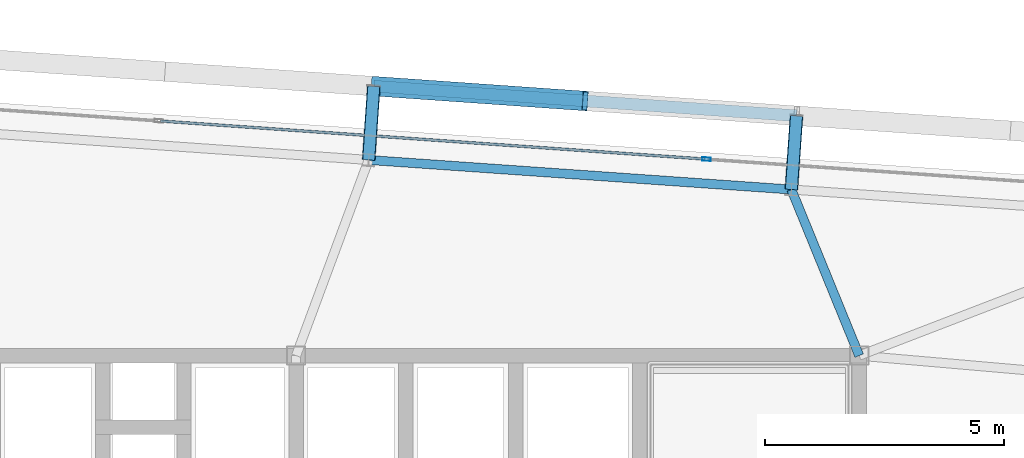
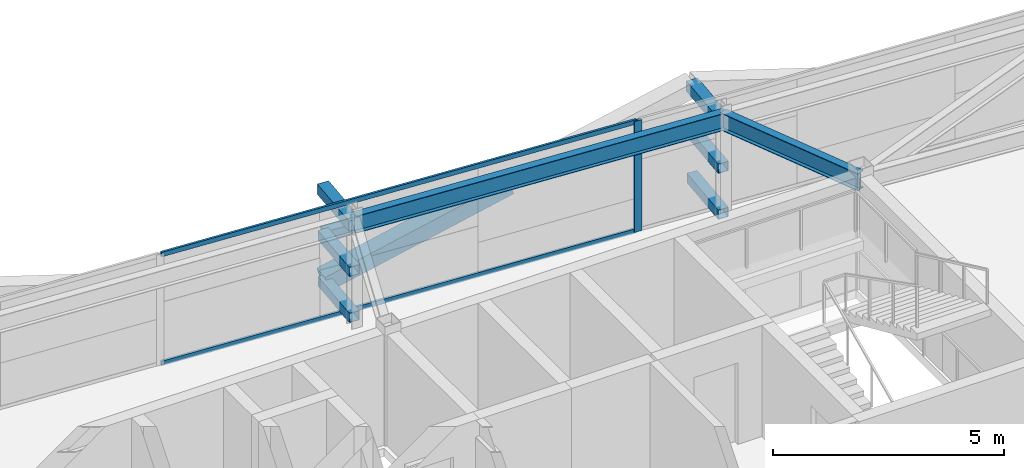
# One storey, part 23 of 39: 11 members, 2 beams, 1 element without a shape of its own.
"""IFC4 building model written with IfcOpenShell, lengths in metres."""

from ifc_helpers import new_model, si_unit, direction, frame, origin, origin_2d, place, context, subcontext, project, spatial, hollow_rectangle, i_section, extrude, source, transform, mapped, material, layer, layer_set, material_profile, profile_set, type_object, element, aggregate, save


model = new_model("IFC4")

# Units and contexts
model_context = context("Model", 3, precision=1e-05, world=origin(), true_north=direction((0.0, 1.0)))
body_context = subcontext(model_context, "Body", "Model", "MODEL_VIEW")
ifc_project = project(units=[si_unit("LENGTHUNIT", "METRE"), si_unit("AREAUNIT", "SQUARE_METRE"), si_unit("VOLUMEUNIT", "CUBIC_METRE"), si_unit("PLANEANGLEUNIT", "RADIAN"), si_unit("MASSUNIT", "GRAM", prefix="KILO")], contexts=[model_context])

# Site, building, storey
site_placement = place(None, origin())
site = spatial("IfcSite", under=ifc_project, at=site_placement, CompositionType="ELEMENT")
building_placement = place(site_placement, origin())
building = spatial("IfcBuilding", under=site, at=building_placement, Name="Taldren Reach Tower", CompositionType="ELEMENT")
storey_placement = place(building_placement, frame((0.0, 0.0, 136.14990234375)))
storey = spatial("IfcBuildingStorey", under=building, at=storey_placement, Name="L41", CompositionType="ELEMENT", Elevation=136.14990234375)

# Members
ifc_material_1 = material(Name="Steel Gr 450 (C450L0)", Category="steel")
ifc_material_profile_1 = material_profile(ifc_material_1, hollow_rectangle(XDim=0.27490234375, YDim=0.27490234375, WallThickness=0.00927734375, at=origin_2d()), Name="275x275x9.3SHS")
ifc_profile_set_1 = profile_set([ifc_material_profile_1], Name="Steel Gr 450 (C450L0)")
member_type_1 = type_object("IfcMemberType", Name="MB-TIE273", PredefinedType="STRUT", material=ifc_profile_set_1)
shared_shape_1 = source(origin(), body_context, "Body", "SweptSolid", [
    extrude(hollow_rectangle(XDim=0.27490234375, YDim=0.27490234375, WallThickness=0.00927734375, at=origin_2d()), origin(), (0.0, 0.0, 1.0), 1.550048828125),
])
for number, where, z_axis, x_axis, name in (
    (1, (40.7197265625, 36.100341796875, 2.650146484375), (0.06976957191, 0.99756313426, 0.0), (-0.99756313426, 0.06976957191, 0.0), "Exoskeleton diaphragm tie strut B3-N4 L41"),
    (2, (49.578125, 35.48095703125, 2.650146484375), (0.06976957191, 0.99756313426, 0.0), (-0.99756313426, 0.06976957191, 0.0), "Exoskeleton diaphragm tie strut B3-N5 L41"),
):
    element("IfcMember", number, at=place(storey_placement, frame(where, z_axis=z_axis, x_axis=x_axis)), inside=storey, type_object=member_type_1, Name=name, PredefinedType="STRUT", context=body_context, shape_type="MappedRepresentation", body=[
        mapped(shared_shape_1, transform((0.0, 0.0, 0.0), scale=1.0)),
    ])
ifc_material_2 = material(Name="Steel Gr 350 (C350L0)", Category="steel")
ifc_material_profile_2 = material_profile(ifc_material_2, hollow_rectangle(XDim=0.25, YDim=0.25, WallThickness=0.010009765625, at=origin_2d()), Name="250x250x10.0SHS")
ifc_profile_set_2 = profile_set([ifc_material_profile_2], Name="Steel Gr 350 (C350L0)")
member_type_2 = type_object("IfcMemberType", Name="MB-POST250", PredefinedType="POST", material=ifc_profile_set_2)
shared_shape_2 = source(origin(), body_context, "Body", "SweptSolid", [
    extrude(hollow_rectangle(XDim=0.25, YDim=0.25, WallThickness=0.010009765625, at=origin_2d()), origin(), (0.0, 0.0, 1.0), 1.550048828125),
])
for number, where, z_axis, x_axis, name in (
    (3, (40.7197265625, 36.100341796875, 0.22021484375), (0.06976957191, 0.99756313426, 0.0), (-0.99756313426, 0.06976957191, 0.0), "Exoskeleton base diaphragm tie strut B3-N4 L41"),
    (4, (49.578125, 35.48095703125, 0.22021484375), (0.06976957191, 0.99756313426, 0.0), (-0.99756313426, 0.06976957191, 0.0), "Exoskeleton base diaphragm tie strut B3-N5 L41"),
    (5, (40.7197265625, 36.100341796875, 1.43505859375), (0.06976957191, 0.99756313426, 0.0), (-0.99756313426, 0.06976957191, 0.0), "Exoskeleton mid-tier diaphragm tie B3-N4 L41"),
    (6, (49.578125, 35.48095703125, 1.43505859375), (0.06976957191, 0.99756313426, 0.0), (-0.99756313426, 0.06976957191, 0.0), "Exoskeleton mid-tier diaphragm tie B3-N5 L41"),
):
    element("IfcMember", number, at=place(storey_placement, frame(where, z_axis=z_axis, x_axis=x_axis)), inside=storey, type_object=member_type_2, Name=name, PredefinedType="POST", context=body_context, shape_type="MappedRepresentation", body=[
        mapped(shared_shape_2, transform((0.0, 0.0, 0.0), scale=1.0)),
    ])

# Beams
ifc_material_3 = material(Name="Steel Gr 350 (350PLUS)", Category="steel")
ifc_material_profile_3 = material_profile(ifc_material_3, i_section(OverallWidth=0.18994140625, OverallDepth=0.4541015625, WebThickness=0.008544921875, FlangeThickness=0.0126953125, at=origin_2d()), Name="460UB67.1")
ifc_profile_set_3 = profile_set([ifc_material_profile_3], Name="Steel Gr 350 (350PLUS)")
beam_type_1 = type_object("IfcBeamType", Name="SP-UB460B", PredefinedType="SPANDREL", material=ifc_profile_set_3)
shared_shape_3 = source(origin(), body_context, "Body", "SweptSolid", [
    extrude(i_section(OverallWidth=0.18994140625, OverallDepth=0.4541015625, WebThickness=0.008544921875, FlangeThickness=0.0126953125, at=origin_2d()), origin(), (0.0, 0.0, 1.0), 8.880126953125),
])
beam_1_placement = place(storey_placement, frame((49.578125, 35.48095703125, 2.703125), z_axis=(-0.997564479639, 0.069750333063, 0.0), x_axis=(-0.069750333063, -0.997564479639, 0.0)))
element("IfcBeam", 7, at=beam_1_placement, inside=storey, type_object=beam_type_1, Name="Perimeter spandrel B3 N5-N4 L41", PredefinedType="SPANDREL", context=body_context, shape_type="MappedRepresentation", body=[
    mapped(shared_shape_3, transform((0.0, 0.0, 0.0), scale=1.0)),
])
ifc_material_profile_4 = material_profile(ifc_material_3, i_section(OverallWidth=0.19091796875, OverallDepth=0.4599609375, WebThickness=0.010009765625, FlangeThickness=0.01611328125, at=origin_2d()), Name="460UB82.1")
ifc_profile_set_4 = profile_set([ifc_material_profile_4], Name="Steel Gr 350 (350PLUS)")
beam_type_2 = type_object("IfcBeamType", Name="BM-UB460A", PredefinedType="BEAM", material=ifc_profile_set_4)
shared_shape_4 = source(origin(), body_context, "Body", "SweptSolid", [
    extrude(i_section(OverallWidth=0.19091796875, OverallDepth=0.4599609375, WebThickness=0.010009765625, FlangeThickness=0.01611328125, at=origin_2d()), origin(), (0.0, 0.0, 1.0), 3.76025390625),
])
beam_2_placement = place(storey_placement, frame((51.0, 32.0, 2.7001953125), z_axis=(-0.37814232545, 0.925747471886, 0.0), x_axis=(-0.925747471886, -0.37814232545, 0.0)))
element("IfcBeam", 8, at=beam_2_placement, inside=storey, type_object=beam_type_2, Name="Primary floor girder B3-N5 L41", PredefinedType="BEAM", context=body_context, shape_type="MappedRepresentation", body=[
    mapped(shared_shape_4, transform((0.0, 0.0, 0.0), scale=1.0)),
])

# Members
shared_shape_5 = source(origin(), body_context, "Body", "SweptSolid", [
    extrude(hollow_rectangle(XDim=0.25, YDim=0.25, WallThickness=0.010009765625, at=origin_2d()), origin(), (0.0, 0.0, 1.0), 8.880126953125),
])
member_1_placement = place(storey_placement, frame((40.827880859375, 37.646728515625, 1.43505859375), z_axis=(0.997564479639, -0.069750333063, 0.0), x_axis=(0.069750333063, 0.997564479639, 0.0)))
element("IfcMember", 9, at=member_1_placement, inside=storey, type_object=member_type_2, Name="Exoskeleton mid-height ring chord B3-N4 L41", PredefinedType="POST", context=body_context, shape_type="MappedRepresentation", body=[
    mapped(shared_shape_5, transform((0.0, 0.0, 0.0), scale=1.0)),
])
ifc_material_profile_5 = material_profile(ifc_material_1, hollow_rectangle(XDim=0.409912109375, YDim=0.409912109375, WallThickness=0.01611328125, at=origin_2d()), Name="410x410x16.0SHS")
ifc_profile_set_5 = profile_set([ifc_material_profile_5], Name="Steel Gr 450 (C450L0)")
member_type_3 = type_object("IfcMemberType", Name="MB-EXO406", PredefinedType="BRACE", material=ifc_profile_set_5)
shared_shape_6 = source(origin(), body_context, "Body", "SweptSolid", [
    extrude(hollow_rectangle(XDim=0.409912109375, YDim=0.409912109375, WallThickness=0.01611328125, at=origin_2d()), origin(), (0.0, 0.0, 1.0), 4.603271484375),
])
member_2_placement = place(storey_placement, frame((40.827880859375, 37.646728515625, 0.22021484375), z_axis=(0.962195820062, -0.067303852699, 0.263911718699), x_axis=(0.06977769246, 0.997562566276, 0.0)))
element("IfcMember", 10, at=member_2_placement, inside=storey, type_object=member_type_3, Name="Exoskeleton Diagrid Brace B3-N4 L41", PredefinedType="BRACE", context=body_context, shape_type="MappedRepresentation", body=[
    mapped(shared_shape_6, transform((0.0, 0.0, 0.0), scale=1.0)),
])

# Curtain wall, members
ifc_material_4 = material(Name="Aluminium and Low-E Glass Unitised System", Category="aluminium")
ifc_layer = layer(ifc_material_4, 0.159912109375)
ifc_layer_set = layer_set([ifc_layer], Name="Aluminium and Low-E Glass Unitised System")
curtain_wall_type = type_object("IfcCurtainWallType", Name="CW-SYS-4", PredefinedType="NOTDEFINED", material=ifc_layer_set)
curtain_wall_placement = place(storey_placement, origin())
curtain_wall = element("IfcCurtainWall", 11, at=curtain_wall_placement, inside=storey, type_object=curtain_wall_type, Name="Unitised curtain wall CW-L41-N", PredefinedType="NOTDEFINED")
ifc_material_5 = material(Name="Anodised Aluminium 6063-T6", Category="aluminium")
ifc_material_profile_6 = material_profile(ifc_material_5, hollow_rectangle(XDim=0.070068359375, YDim=0.179931640625, WallThickness=0.00390625, at=origin_2d()), Name="ALU-180x70x4RHS")
ifc_profile_set_6 = profile_set([ifc_material_profile_6], Name="Anodised Aluminium 6063-T6")
member_type_4 = type_object("IfcMemberType", Name="CW-MUL-180", PredefinedType="MULLION", material=ifc_profile_set_6)
shared_shape_7 = source(origin(), body_context, "Body", "SweptSolid", [
    extrude(hollow_rectangle(XDim=0.070068359375, YDim=0.179931640625, WallThickness=0.00390625, at=origin_2d()), origin(), (0.0, 0.0, 1.0), 2.93017578125),
])
member_3_placement = place(storey_placement, frame((47.798095703125, 36.11669921875, 0.0), z_axis=(0.0, 0.0, 1.0), x_axis=(-0.06975651593, -0.99756404731, 0.0)))
member_3 = element("IfcMember", 12, at=member_3_placement, type_object=member_type_4, Name="CW-4 mullion 2", PredefinedType="MULLION", context=body_context, shape_type="MappedRepresentation", body=[
    mapped(shared_shape_7, transform((0.0, 0.0, 0.0), scale=1.0)),
])
ifc_material_profile_7 = material_profile(ifc_material_5, hollow_rectangle(XDim=0.054931640625, YDim=0.1201171875, WallThickness=0.0029296875, at=origin_2d()), Name="ALU-120x55x3RHS")
ifc_profile_set_7 = profile_set([ifc_material_profile_7], Name="Anodised Aluminium 6063-T6")
member_type_5 = type_object("IfcMemberType", Name="CW-TRN-135", PredefinedType="USERDEFINED", material=ifc_profile_set_7)
shared_shape_8 = source(origin(), body_context, "Body", "SweptSolid", [
    extrude(hollow_rectangle(XDim=0.054931640625, YDim=0.1201171875, WallThickness=0.0029296875, at=origin_2d()), origin(), (0.0, 0.0, 1.0), 11.429931640625),
])
member_4_placement = place(storey_placement, frame((47.76318359375, 36.119140625, 0.027587890625), z_axis=(-0.997563740938, 0.069760897114, 0.0), x_axis=(-0.069760897114, -0.997563740938, 0.0)))
member_4 = element("IfcMember", 13, at=member_4_placement, type_object=member_type_5, Name="CW-4 transom 2.1", ObjectType="TRANSOM", PredefinedType="USERDEFINED", context=body_context, shape_type="MappedRepresentation", body=[
    mapped(shared_shape_8, transform((0.0, 0.0, 0.0), scale=1.0)),
])
member_5_placement = place(storey_placement, frame((47.76318359375, 36.119140625, 2.902587890625), z_axis=(-0.997563740938, 0.069760897114, 0.0), x_axis=(-0.069760897114, -0.997563740938, 0.0)))
member_5 = element("IfcMember", 14, at=member_5_placement, type_object=member_type_5, Name="CW-4 transom 2.2", ObjectType="TRANSOM", PredefinedType="USERDEFINED", context=body_context, shape_type="MappedRepresentation", body=[
    mapped(shared_shape_8, transform((0.0, 0.0, 0.0), scale=1.0)),
])
aggregate(curtain_wall, [member_3, member_4, member_5])

save(model, "model.ifc")
